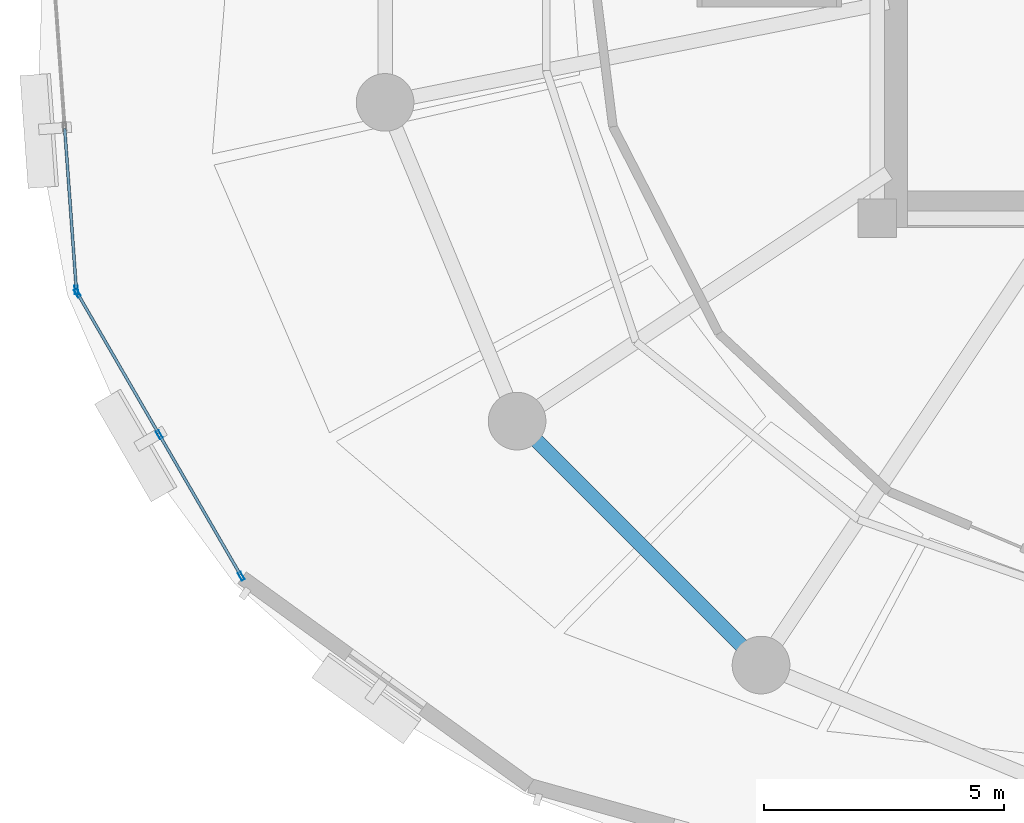
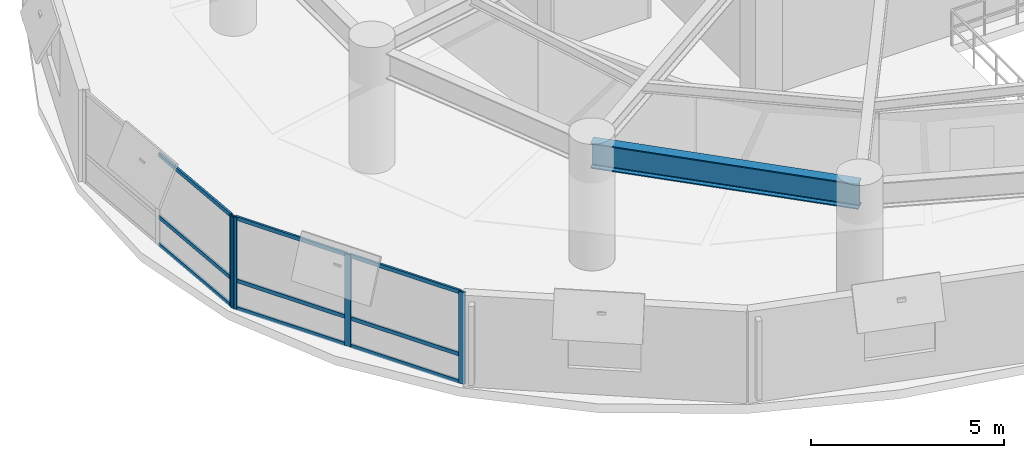
# One storey, part 2 of 15: 13 members, 1 beam, 2 elements without a shape of their own.
"""IFC4 building model written with IfcOpenShell, lengths in metres."""

from ifc_helpers import new_model, si_unit, direction, frame, origin, origin_2d, place, context, subcontext, project, spatial, hollow_rectangle, i_section, extrude, material, layer, layer_set, material_profile, profile_set, type_object, element, aggregate, save


model = new_model("IFC4")

# Units and contexts
model_context = context("Model", 3, precision=1e-05, world=origin(), true_north=direction((0.0, 1.0)))
body_context = subcontext(model_context, "Body", "Model", "MODEL_VIEW")
ifc_project = project(units=[si_unit("LENGTHUNIT", "METRE"), si_unit("AREAUNIT", "SQUARE_METRE"), si_unit("VOLUMEUNIT", "CUBIC_METRE"), si_unit("PLANEANGLEUNIT", "RADIAN"), si_unit("MASSUNIT", "GRAM", prefix="KILO"), si_unit("THERMODYNAMICTEMPERATUREUNIT", "KELVIN"), si_unit("POWERUNIT", "WATT")], contexts=[model_context])

# Site, building, storey
site_placement = place(None, origin())
site = spatial("IfcSite", under=ifc_project, at=site_placement, CompositionType="ELEMENT")
building_placement = place(site_placement, origin())
building = spatial("IfcBuilding", under=site, at=building_placement, Name="Ocrelia Relay Tower", CompositionType="ELEMENT")
storey_placement = place(building_placement, frame((0.0, 0.0, 105.800048828125)))
storey = spatial("IfcBuildingStorey", under=building, at=storey_placement, Name="L24", CompositionType="ELEMENT", Elevation=105.800048828125)

# Beam
ifc_material_1 = material(Name="Steel S355", Category="steel")
ifc_material_profile_1 = material_profile(ifc_material_1, i_section(OverallWidth=0.300048828125, OverallDepth=0.800048828125, WebThickness=0.017578125, FlangeThickness=0.032958984375, FilletRadius=0.030029296875, at=origin_2d()), Name="HEB 800")
ifc_profile_set_1 = profile_set([ifc_material_profile_1], Name="Steel S355")
beam_type = type_object("IfcBeamType", Name="BM-HEB800", PredefinedType="BEAM", material=ifc_profile_set_1)
beam_placement = place(storey_placement, frame((18.700927734375, 15.777587890625, 3.320068359375), z_axis=(0.707106781187, -0.707106781187, 0.0), x_axis=(0.707106781187, 0.707106781187, 0.0)))
element("IfcBeam", 1, at=beam_placement, inside=storey, type_object=beam_type, Name="L24 Perimeter Spandrel Beam S10", PredefinedType="BEAM", context=body_context, shape_type="SweptSolid", body=[
    extrude(i_section(OverallWidth=0.300048828125, OverallDepth=0.800048828125, WebThickness=0.017578125, FlangeThickness=0.032958984375, FilletRadius=0.030029296875, at=origin_2d()), origin(), (0.0, 0.0, 1.0), 7.179443359375),
])

# Curtain wall, member
ifc_material_2 = material(Name="Aluminium and solar-control low-E glass", Category="aluminium")
ifc_layer = layer(ifc_material_2, 0.179931640625, Name="Aluminium and solar-control low-E glass")
ifc_layer_set = layer_set([ifc_layer], Name="Aluminium and solar-control low-E glass")
curtain_wall_type = type_object("IfcCurtainWallType", Name="CW-SYS-Z2-SWIT", PredefinedType="NOTDEFINED", material=ifc_layer_set)
curtain_wall_1_placement = place(storey_placement, origin())
curtain_wall_1 = element("IfcCurtainWall", 2, at=curtain_wall_1_placement, inside=storey, type_object=curtain_wall_type, Name="L24 Elliptical Tower Curtain Wall Bay 09", PredefinedType="NOTDEFINED")
ifc_material_3 = material(Name="Anodised bronze aluminium", Category="aluminium")
ifc_material_profile_2 = material_profile(ifc_material_3, hollow_rectangle(XDim=0.070068359375, YDim=0.179931640625, WallThickness=0.006103515625, at=origin_2d()), Name="CW-MUL-180x70")
ifc_profile_set_2 = profile_set([ifc_material_profile_2], Name="Anodised bronze aluminium")
member_type_1 = type_object("IfcMemberType", Name="CW-SYS-Z2-SWIT-MUL", PredefinedType="MULLION", material=ifc_profile_set_2)
member_1_placement = place(storey_placement, frame((9.529296875, 18.507568359375, 0.0), z_axis=(0.0, 0.0, 1.0), x_axis=(0.997402458777, 0.072030099448, 0.0)))
member_1 = element("IfcMember", 3, at=member_1_placement, type_object=member_type_1, Name="CW-Z2 mullion 3", PredefinedType="MULLION", context=body_context, shape_type="SweptSolid", body=[
    extrude(hollow_rectangle(XDim=0.070068359375, YDim=0.179931640625, WallThickness=0.006103515625, at=origin_2d()), origin(), (0.0, 0.0, 1.0), 2.89990234375),
])

# Curtain wall, members
curtain_wall_2_placement = place(storey_placement, origin())
curtain_wall_2 = element("IfcCurtainWall", 4, at=curtain_wall_2_placement, inside=storey, type_object=curtain_wall_type, Name="L24 Elliptical Tower Curtain Wall Bay 10", PredefinedType="NOTDEFINED")
member_2_placement = place(storey_placement, frame((9.54931640625, 18.4423828125, 0.0), z_axis=(0.0, 0.0, 1.0), x_axis=(0.865422967919, 0.501042000832, 0.0)))
member_2 = element("IfcMember", 5, at=member_2_placement, type_object=member_type_1, Name="CW-Z2 mullion 1", PredefinedType="MULLION", context=body_context, shape_type="SweptSolid", body=[
    extrude(hollow_rectangle(XDim=0.070068359375, YDim=0.179931640625, WallThickness=0.006103515625, at=origin_2d()), origin(), (0.0, 0.0, 1.0), 2.89990234375),
])
member_3_placement = place(storey_placement, frame((11.255126953125, 15.495849609375, 0.0), z_axis=(0.0, 0.0, 1.0), x_axis=(0.865422967919, 0.501042000832, 0.0)))
member_3 = element("IfcMember", 6, at=member_3_placement, type_object=member_type_1, Name="CW-Z2 mullion 2", PredefinedType="MULLION", context=body_context, shape_type="SweptSolid", body=[
    extrude(hollow_rectangle(XDim=0.070068359375, YDim=0.179931640625, WallThickness=0.006103515625, at=origin_2d()), origin(), (0.0, 0.0, 1.0), 2.89990234375),
])
member_4_placement = place(storey_placement, frame((12.9609375, 12.549560546875, 0.0), z_axis=(0.0, 0.0, 1.0), x_axis=(0.865422967919, 0.501042000832, 0.0)))
member_4 = element("IfcMember", 7, at=member_4_placement, type_object=member_type_1, Name="CW-Z2 mullion 3", PredefinedType="MULLION", context=body_context, shape_type="SweptSolid", body=[
    extrude(hollow_rectangle(XDim=0.070068359375, YDim=0.179931640625, WallThickness=0.006103515625, at=origin_2d()), origin(), (0.0, 0.0, 1.0), 2.89990234375),
])

# Member
ifc_material_profile_3 = material_profile(ifc_material_3, hollow_rectangle(XDim=0.06005859375, YDim=0.1201171875, WallThickness=0.0048828125, at=origin_2d()), Name="CW-TRN-120x60")
ifc_profile_set_3 = profile_set([ifc_material_profile_3], Name="Anodised bronze aluminium")
member_type_2 = type_object("IfcMemberType", Name="CW-SYS-Z2-SWIT-TRN", PredefinedType="USERDEFINED", material=ifc_profile_set_3)
member_5_placement = place(storey_placement, frame((9.286376953125, 21.868408203125, 0.030029296875), z_axis=(0.072043095926, -0.997401520116, 0.0), x_axis=(0.997401520116, 0.072043095926, 0.0)))
member_5 = element("IfcMember", 8, at=member_5_placement, type_object=member_type_2, Name="CW-Z2 transom 2.1", ObjectType="TRANSOM", PredefinedType="USERDEFINED", context=body_context, shape_type="SweptSolid", body=[
    extrude(hollow_rectangle(XDim=0.06005859375, YDim=0.1201171875, WallThickness=0.0048828125, at=origin_2d()), origin(), (0.0, 0.0, 1.0), 3.33447265625),
])

member_6_placement = place(storey_placement, frame((9.286376953125, 21.868408203125, 0.89990234375), z_axis=(0.072043095926, -0.997401520116, 0.0), x_axis=(0.997401520116, 0.072043095926, 0.0)))
member_6 = element("IfcMember", 9, at=member_6_placement, type_object=member_type_2, Name="CW-Z2 transom 2.2", ObjectType="TRANSOM", PredefinedType="USERDEFINED", context=body_context, shape_type="SweptSolid", body=[
    extrude(hollow_rectangle(XDim=0.06005859375, YDim=0.1201171875, WallThickness=0.0048828125, at=origin_2d()), origin(), (0.0, 0.0, 1.0), 3.33447265625),
])

member_7_placement = place(storey_placement, frame((9.286376953125, 21.868408203125, 2.869873046875), z_axis=(0.072043095926, -0.997401520116, 0.0), x_axis=(0.997401520116, 0.072043095926, 0.0)))
member_7 = element("IfcMember", 10, at=member_7_placement, type_object=member_type_2, Name="CW-Z2 transom 2.3", ObjectType="TRANSOM", PredefinedType="USERDEFINED", context=body_context, shape_type="SweptSolid", body=[
    extrude(hollow_rectangle(XDim=0.06005859375, YDim=0.1201171875, WallThickness=0.0048828125, at=origin_2d()), origin(), (0.0, 0.0, 1.0), 3.33447265625),
])

aggregate(curtain_wall_1, [member_1, member_5, member_6, member_7])

member_8_placement = place(storey_placement, frame((9.56689453125, 18.412109375, 0.030029296875), z_axis=(0.500995866197, -0.865449676211, 0.0), x_axis=(0.865449676211, 0.500995866197, 0.0)))
member_8 = element("IfcMember", 11, at=member_8_placement, type_object=member_type_2, Name="CW-Z2 transom 1.1", ObjectType="TRANSOM", PredefinedType="USERDEFINED", context=body_context, shape_type="SweptSolid", body=[
    extrude(hollow_rectangle(XDim=0.06005859375, YDim=0.1201171875, WallThickness=0.0048828125, at=origin_2d()), origin(), (0.0, 0.0, 1.0), 3.334716796875),
])

member_9_placement = place(storey_placement, frame((9.56689453125, 18.412109375, 0.89990234375), z_axis=(0.500995866197, -0.865449676211, 0.0), x_axis=(0.865449676211, 0.500995866197, 0.0)))
member_9 = element("IfcMember", 12, at=member_9_placement, type_object=member_type_2, Name="CW-Z2 transom 1.2", ObjectType="TRANSOM", PredefinedType="USERDEFINED", context=body_context, shape_type="SweptSolid", body=[
    extrude(hollow_rectangle(XDim=0.06005859375, YDim=0.1201171875, WallThickness=0.0048828125, at=origin_2d()), origin(), (0.0, 0.0, 1.0), 3.334716796875),
])

member_10_placement = place(storey_placement, frame((9.56689453125, 18.412109375, 2.869873046875), z_axis=(0.500995866197, -0.865449676211, 0.0), x_axis=(0.865449676211, 0.500995866197, 0.0)))
member_10 = element("IfcMember", 13, at=member_10_placement, type_object=member_type_2, Name="CW-Z2 transom 1.3", ObjectType="TRANSOM", PredefinedType="USERDEFINED", context=body_context, shape_type="SweptSolid", body=[
    extrude(hollow_rectangle(XDim=0.06005859375, YDim=0.1201171875, WallThickness=0.0048828125, at=origin_2d()), origin(), (0.0, 0.0, 1.0), 3.334716796875),
])

member_11_placement = place(storey_placement, frame((11.272705078125, 15.465576171875, 0.030029296875), z_axis=(0.501027612011, -0.865431298257, 0.0), x_axis=(0.865431298257, 0.501027612011, 0.0)))
member_11 = element("IfcMember", 14, at=member_11_placement, type_object=member_type_2, Name="CW-Z2 transom 2.1", ObjectType="TRANSOM", PredefinedType="USERDEFINED", context=body_context, shape_type="SweptSolid", body=[
    extrude(hollow_rectangle(XDim=0.06005859375, YDim=0.1201171875, WallThickness=0.0048828125, at=origin_2d()), origin(), (0.0, 0.0, 1.0), 3.33447265625),
])

member_12_placement = place(storey_placement, frame((11.272705078125, 15.465576171875, 0.89990234375), z_axis=(0.501027612011, -0.865431298257, 0.0), x_axis=(0.865431298257, 0.501027612011, 0.0)))
member_12 = element("IfcMember", 15, at=member_12_placement, type_object=member_type_2, Name="CW-Z2 transom 2.2", ObjectType="TRANSOM", PredefinedType="USERDEFINED", context=body_context, shape_type="SweptSolid", body=[
    extrude(hollow_rectangle(XDim=0.06005859375, YDim=0.1201171875, WallThickness=0.0048828125, at=origin_2d()), origin(), (0.0, 0.0, 1.0), 3.33447265625),
])

member_13_placement = place(storey_placement, frame((11.272705078125, 15.465576171875, 2.869873046875), z_axis=(0.501027612011, -0.865431298257, 0.0), x_axis=(0.865431298257, 0.501027612011, 0.0)))
member_13 = element("IfcMember", 16, at=member_13_placement, type_object=member_type_2, Name="CW-Z2 transom 2.3", ObjectType="TRANSOM", PredefinedType="USERDEFINED", context=body_context, shape_type="SweptSolid", body=[
    extrude(hollow_rectangle(XDim=0.06005859375, YDim=0.1201171875, WallThickness=0.0048828125, at=origin_2d()), origin(), (0.0, 0.0, 1.0), 3.33447265625),
])

aggregate(curtain_wall_2, [member_2, member_3, member_4, member_8, member_9, member_10, member_11, member_12, member_13])

save(model, "model.ifc")
